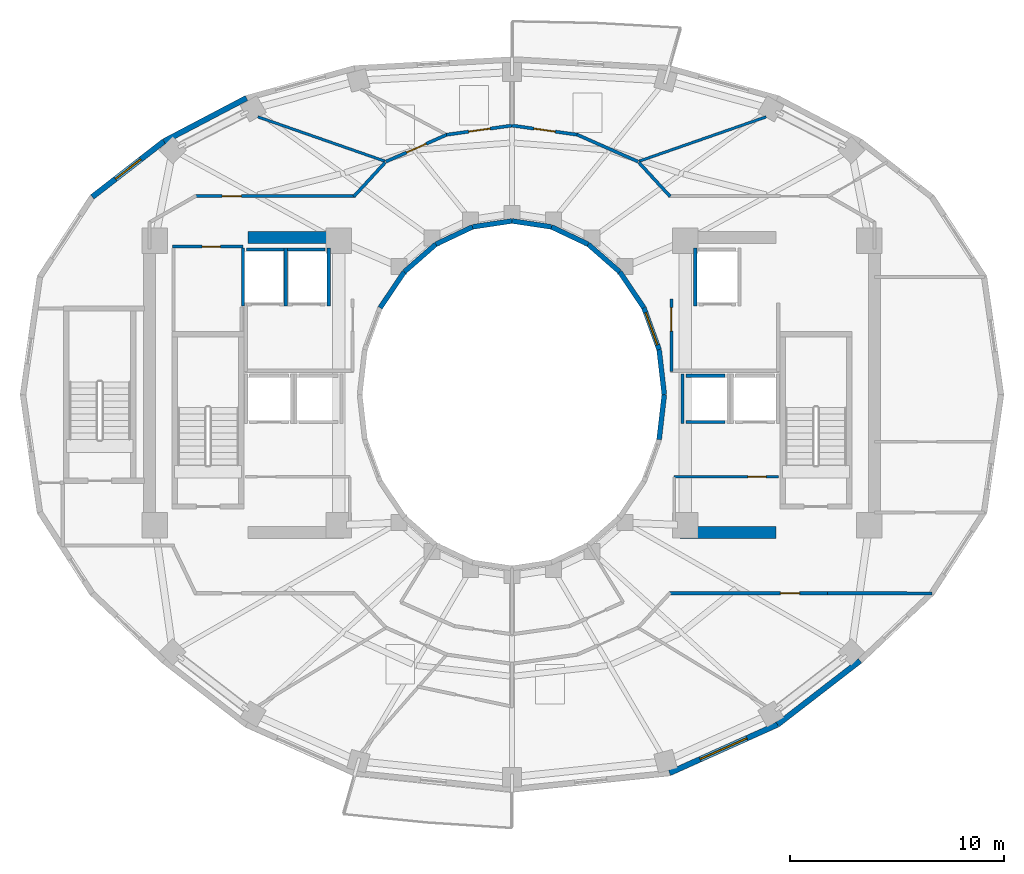
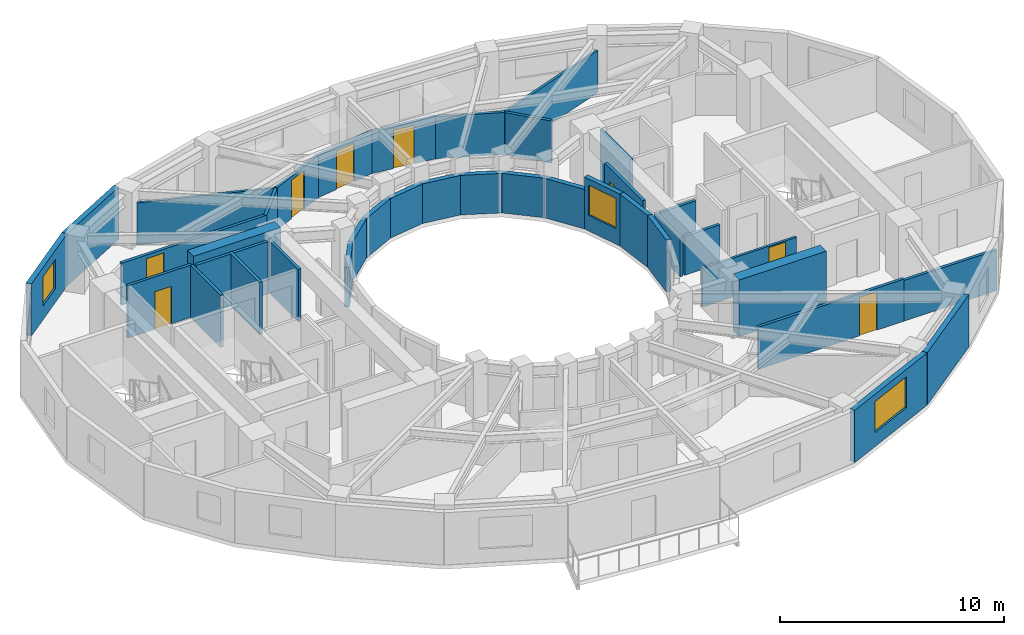
# One storey, part 5 of 9: 40 walls, 8 doors, 3 windows, 11 openings.
"""IFC4 building model written with IfcOpenShell, lengths in metres."""

from ifc_helpers import new_model, si_unit, direction, frame, frame_2d, origin, place, context, subcontext, project, spatial, rectangle, extrude, material, layer, layer_set, type_object, element, fill, save


model = new_model("IFC4")

# Units and contexts
model_context = context("Model", 3, precision=1e-05, world=origin(), true_north=direction((0.0, 1.0)))
body_context = subcontext(model_context, "Body", "Model", "MODEL_VIEW")
ifc_project = project(units=[si_unit("LENGTHUNIT", "METRE"), si_unit("AREAUNIT", "SQUARE_METRE"), si_unit("VOLUMEUNIT", "CUBIC_METRE"), si_unit("PLANEANGLEUNIT", "RADIAN"), si_unit("MASSUNIT", "GRAM", prefix="KILO")], contexts=[model_context])

# Site, building, storey
site_placement = place(None, origin())
site = spatial("IfcSite", under=ifc_project, at=site_placement, CompositionType="ELEMENT")
building_placement = place(site_placement, origin())
building = spatial("IfcBuilding", under=site, at=building_placement, Name="Solvane Sanctuary Tower", CompositionType="ELEMENT")
storey_placement = place(building_placement, frame((0.0, 0.0, 174.60009765625)))
storey = spatial("IfcBuildingStorey", under=building, at=storey_placement, Name="L53", CompositionType="ELEMENT", Elevation=174.60009765625)

# Walls
ifc_material_1 = material(Name="Concrete C50/60", Category="concrete")
ifc_layer_1 = layer(ifc_material_1, 0.550048828125, Name="Concrete C50/60")
ifc_layer_set_1 = layer_set([ifc_layer_1], Name="Concrete C50/60")
wall_type_1 = type_object("IfcWallType", Name="Wall W-CORE-550", PredefinedType="SHEAR", material=ifc_layer_set_1)
for number, where, z_axis, x_axis, name in (
    (1, (19.64990234375, 30.35009765625, 0.0), (0.0, 0.0, 1.0), (1.0, 0.0, 0.0), "L53 Core Shear Wall WC-N"),
    (2, (39.85009765625, 16.550048828125, 0.0), (0.0, 0.0, 1.0), (1.0, 0.0, 0.0), "L53 Core Shear Wall EC-S"),
):
    element("IfcWall", number, at=place(storey_placement, frame(where, z_axis=z_axis, x_axis=x_axis)), inside=storey, type_object=wall_type_1, Name=name, PredefinedType="SHEAR", context=body_context, shape_type="SweptSolid", body=[
        extrude(rectangle(XDim=4.5, YDim=0.550048828125, at=frame_2d((2.25, 0.0))), origin(), (0.0, 0.0, 1.0), 3.099853515625),
    ])

# Wall, opening, door
ifc_material_2 = material(Name="Acoustic Gypsum Partition Board")
ifc_layer_2 = layer(ifc_material_2, 0.14990234375, Name="Acoustic Gypsum Partition Board")
ifc_layer_set_2 = layer_set([ifc_layer_2], Name="Acoustic Gypsum Partition Board")
wall_type_2 = type_object("IfcWallType", Name="Wall W-CORR-150", PredefinedType="PARTITIONING", material=ifc_layer_set_2)
wall_1_placement = place(storey_placement, frame((39.449951171875, 24.080078125, 0.0), z_axis=(0.0, 0.0, 1.0), x_axis=(0.0, 1.0, 0.0)))
wall_1 = element("IfcWall", 3, at=wall_1_placement, inside=storey, type_object=wall_type_2, Name="L53 East Firefighting Lobby West Wall", PredefinedType="PARTITIONING", context=body_context, shape_type="SweptSolid", body=[
    extrude(rectangle(XDim=3.39990234375, YDim=0.14990234375, at=frame_2d((1.699951171875, 0.0))), origin(), (0.0, 0.0, 1.0), 2.85498046875),
])
opening_1_placement = place(wall_1_placement, frame((1.893798828125, 0.0, 0.0)))
opening_1 = element("IfcOpeningElement", 4, at=opening_1_placement, cuts=wall_1, Name="Opening D-L53-07", PredefinedType="OPENING", context=body_context, shape_type="SweptSolid", body=[
    extrude(rectangle(XDim=1.10009765625, YDim=2.10009765625, at=frame_2d((0.550048828125, 1.050048828125))), frame((0.0, 0.0849609375, 0.0), z_axis=(0.0, -1.0, 0.0), x_axis=(1.0, 0.0, 0.0)), (0.0, 0.0, 1.0), 0.169921875),
])
ifc_material_3 = material(Name="Architectural Stainless Steel 316", Category="steel")
door_type_1 = type_object("IfcDoorType", Name="Door D-FFL", OperationType="NOTDEFINED", PredefinedType="DOOR", material=ifc_material_3)
door_1_placement = place(opening_1_placement, origin())
door_1 = element("IfcDoor", 5, at=door_1_placement, inside=storey, type_object=door_type_1, Name="L53 East Firefighting Lobby Fire Door", OperationType="SINGLE_SWING_RIGHT", OverallHeight=2.10009765625, OverallWidth=1.10009765625, PredefinedType="DOOR", context=body_context, shape_type="SweptSolid", body=[
    extrude(rectangle(XDim=1.10009765625, YDim=2.10009765625, at=frame_2d((0.550048828125, 1.050048828125))), frame((0.0, 0.02490234375, 0.0), z_axis=(0.0, -1.0, 0.0), x_axis=(1.0, 0.0, 0.0)), (0.0, 0.0, 1.0), 0.050048828125),
])
fill(opening_1, door_1)

# Walls
for number, where, z_axis, x_axis, name in (
    (6, (37.92822265625, 33.855712890625, 0.0), (0.0, 0.0, 1.0), (0.677579737957, -0.735449317567, 0.0), "L53 NE Corner Throat Wall"),
    (7, (26.07177734375, 33.855712890625, 0.0), (0.0, 0.0, 1.0), (-0.677579737957, -0.735449317567, 0.0), "L53 NW Corner Throat Wall"),
):
    element("IfcWall", number, at=place(storey_placement, frame(where, z_axis=z_axis, x_axis=x_axis)), inside=storey, type_object=wall_type_2, Name=name, PredefinedType="PARTITIONING", context=body_context, shape_type="SweptSolid", body=[
        extrude(rectangle(XDim=2.172607421875, YDim=0.14990234375, at=frame_2d((1.08642578125, 0.0))), origin(), (0.0, 0.0, 1.0), 2.298828125),
    ])

# Wall, opening, door
wall_2_placement = place(storey_placement, frame((17.14990234375, 32.280029296875, 0.0), z_axis=(0.0, 0.0, 1.0), x_axis=(1.0, 0.0, 0.0)))
wall_2 = element("IfcWall", 8, at=wall_2_placement, inside=storey, type_object=wall_type_2, Name="L53 NW Corner Corridor Wall", PredefinedType="PARTITIONING", context=body_context, shape_type="SweptSolid", body=[
    extrude(rectangle(XDim=7.52001953125, YDim=0.14990234375, at=frame_2d((3.760009765625, 0.0))), origin(), (0.0, 0.0, 1.0), 2.298828125),
])
opening_2_placement = place(wall_2_placement, frame((1.300048828125, 0.0, 0.0)))
opening_2 = element("IfcOpeningElement", 9, at=opening_2_placement, cuts=wall_2, Name="Opening D-L53-15", PredefinedType="OPENING", context=body_context, shape_type="SweptSolid", body=[
    extrude(rectangle(XDim=0.89990234375, YDim=2.10009765625, at=frame_2d((0.449951171875, 1.050048828125))), frame((0.0, 0.0849609375, 0.0), z_axis=(0.0, -1.0, 0.0), x_axis=(1.0, 0.0, 0.0)), (0.0, 0.0, 1.0), 0.169921875),
])
ifc_material_4 = material(Name="Engineered Tropical Hardwood", Category="wood")
door_type_2 = type_object("IfcDoorType", Name="Door D-WET-900", OperationType="NOTDEFINED", PredefinedType="DOOR", material=ifc_material_4)
door_2_placement = place(opening_2_placement, origin())
door_2 = element("IfcDoor", 10, at=door_2_placement, inside=storey, type_object=door_type_2, Name="L53 NW Corner Salon Door", OperationType="SINGLE_SWING_RIGHT", OverallHeight=2.10009765625, OverallWidth=0.89990234375, PredefinedType="DOOR", context=body_context, shape_type="SweptSolid", body=[
    extrude(rectangle(XDim=0.89990234375, YDim=2.10009765625, at=frame_2d((0.449951171875, 1.050048828125))), frame((0.0, 0.02490234375, 0.0), z_axis=(0.0, -1.0, 0.0), x_axis=(1.0, 0.0, 0.0)), (0.0, 0.0, 1.0), 0.050048828125),
])
fill(opening_2, door_2)

wall_3_placement = place(storey_placement, frame((39.330078125, 13.719970703125, 0.0), z_axis=(0.0, 0.0, 1.0), x_axis=(1.0, 0.0, 0.0)))
wall_3 = element("IfcWall", 11, at=wall_3_placement, inside=storey, type_object=wall_type_2, Name="L53 SE Corner Corridor Wall", PredefinedType="PARTITIONING", context=body_context, shape_type="SweptSolid", body=[
    extrude(rectangle(XDim=7.52001953125, YDim=0.14990234375, at=frame_2d((3.760009765625, 0.0))), origin(), (0.0, 0.0, 1.0), 2.298828125),
])
opening_3_placement = place(wall_3_placement, frame((5.219970703125, 0.0, 0.0)))
opening_3 = element("IfcOpeningElement", 12, at=opening_3_placement, cuts=wall_3, Name="Opening D-L53-18", PredefinedType="OPENING", context=body_context, shape_type="SweptSolid", body=[
    extrude(rectangle(XDim=0.89990234375, YDim=2.10009765625, at=frame_2d((0.449951171875, 1.050048828125))), frame((0.0, 0.0849609375, 0.0), z_axis=(0.0, -1.0, 0.0), x_axis=(1.0, 0.0, 0.0)), (0.0, 0.0, 1.0), 0.169921875),
])
door_3_placement = place(opening_3_placement, origin())
door_3 = element("IfcDoor", 13, at=door_3_placement, inside=storey, type_object=door_type_2, Name="L53 SE Corner Salon Door", OperationType="SINGLE_SWING_LEFT", OverallHeight=2.10009765625, OverallWidth=0.89990234375, PredefinedType="DOOR", context=body_context, shape_type="SweptSolid", body=[
    extrude(rectangle(XDim=0.89990234375, YDim=2.10009765625, at=frame_2d((0.449951171875, 1.050048828125))), frame((0.0, 0.02490234375, 0.0), z_axis=(0.0, -1.0, 0.0), x_axis=(1.0, 0.0, 0.0)), (0.0, 0.0, 1.0), 0.050048828125),
])
fill(opening_3, door_3)

# Walls
wall_4_placement = place(storey_placement, frame((46.75, 13.72021484375, 0.0), z_axis=(0.0, 0.0, 1.0), x_axis=(0.999997122315, -0.00239903348, 0.0)))
element("IfcWall", 14, at=wall_4_placement, inside=storey, type_object=wall_type_2, Name="L53 SE Corner Wing Wall", PredefinedType="PARTITIONING", context=body_context, shape_type="SweptSolid", body=[
    extrude(rectangle(XDim=4.884765625, YDim=0.14990234375, at=frame_2d((2.4423828125, 0.0))), origin(), (0.0, 0.0, 1.0), 2.219970703125),
])
wall_5_placement = place(storey_placement, frame((37.898193359375, 33.891845703125, 0.0), z_axis=(0.0, 0.0, 1.0), x_axis=(-0.914519212393, 0.40454247016, 0.0)))
element("IfcWall", 15, at=wall_5_placement, inside=storey, type_object=wall_type_2, Name="L53 Unit Corridor Wall N1", PredefinedType="PARTITIONING", context=body_context, shape_type="SweptSolid", body=[
    extrude(rectangle(XDim=3.123779296875, YDim=0.14990234375, at=frame_2d((1.56201171875, 0.0))), origin(), (0.0, 0.0, 1.0), 2.298828125),
])

# Wall, opening, door
wall_6_placement = place(storey_placement, frame((35.057373046875, 35.15087890625, 0.0), z_axis=(0.0, 0.0, 1.0), x_axis=(-0.990254709652, 0.13926812274, 0.0)))
wall_6 = element("IfcWall", 16, at=wall_6_placement, inside=storey, type_object=wall_type_2, Name="L53 Unit Corridor Wall N1", PredefinedType="PARTITIONING", context=body_context, shape_type="SweptSolid", body=[
    extrude(rectangle(XDim=3.095947265625, YDim=0.14990234375, at=frame_2d((1.5478515625, 0.0))), origin(), (0.0, 0.0, 1.0), 2.298828125),
])
opening_4_placement = place(wall_6_placement, frame((1.0478515625, 0.0, 0.0)))
opening_4 = element("IfcOpeningElement", 17, at=opening_4_placement, cuts=wall_6, Name="Opening D-L53-21", PredefinedType="OPENING", context=body_context, shape_type="SweptSolid", body=[
    extrude(rectangle(XDim=1.0, YDim=2.10009765625, at=frame_2d((0.5, 1.050048828125))), frame((0.0, 0.0849609375, 0.0), z_axis=(0.0, -1.0, 0.0), x_axis=(1.0, 0.0, 0.0)), (0.0, 0.0, 1.0), 0.169921875),
])
door_type_3 = type_object("IfcDoorType", Name="Door D-UNIT", OperationType="NOTDEFINED", PredefinedType="DOOR", material=ifc_material_4)
door_4_placement = place(opening_4_placement, origin())
door_4 = element("IfcDoor", 18, at=door_4_placement, inside=storey, type_object=door_type_3, Name="L53 Unit Entrance Door N1", OperationType="SINGLE_SWING_RIGHT", OverallHeight=2.10009765625, OverallWidth=1.0, PredefinedType="DOOR", context=body_context, shape_type="SweptSolid", body=[
    extrude(rectangle(XDim=1.0, YDim=2.10009765625, at=frame_2d((0.5, 1.050048828125))), frame((0.0, 0.02490234375, 0.0), z_axis=(0.0, -1.0, 0.0), x_axis=(1.0, 0.0, 0.0)), (0.0, 0.0, 1.0), 0.050048828125),
])
fill(opening_4, door_4)

wall_7_placement = place(storey_placement, frame((32.00830078125, 35.58203125, 0.0), z_axis=(0.0, 0.0, 1.0), x_axis=(-0.990254709652, -0.13926812274, 0.0)))
wall_7 = element("IfcWall", 19, at=wall_7_placement, inside=storey, type_object=wall_type_2, Name="L53 Unit Corridor Wall N2", PredefinedType="PARTITIONING", context=body_context, shape_type="SweptSolid", body=[
    extrude(rectangle(XDim=3.095947265625, YDim=0.14990234375, at=frame_2d((1.5478515625, 0.0))), origin(), (0.0, 0.0, 1.0), 2.298828125),
])
opening_5_placement = place(wall_7_placement, frame((1.0478515625, 0.0, 0.0)))
opening_5 = element("IfcOpeningElement", 20, at=opening_5_placement, cuts=wall_7, Name="Opening D-L53-22", PredefinedType="OPENING", context=body_context, shape_type="SweptSolid", body=[
    extrude(rectangle(XDim=1.0, YDim=2.10009765625, at=frame_2d((0.5, 1.050048828125))), frame((0.0, 0.0849609375, 0.0), z_axis=(0.0, -1.0, 0.0), x_axis=(1.0, 0.0, 0.0)), (0.0, 0.0, 1.0), 0.169921875),
])
door_5_placement = place(opening_5_placement, origin())
door_5 = element("IfcDoor", 21, at=door_5_placement, inside=storey, type_object=door_type_3, Name="L53 Unit Entrance Door N2", OperationType="SINGLE_SWING_LEFT", OverallHeight=2.10009765625, OverallWidth=1.0, PredefinedType="DOOR", context=body_context, shape_type="SweptSolid", body=[
    extrude(rectangle(XDim=1.0, YDim=2.10009765625, at=frame_2d((0.5, 1.050048828125))), frame((0.0, 0.02490234375, 0.0), z_axis=(0.0, -1.0, 0.0), x_axis=(1.0, 0.0, 0.0)), (0.0, 0.0, 1.0), 0.050048828125),
])
fill(opening_5, door_5)

wall_8_placement = place(storey_placement, frame((28.95849609375, 35.155517578125, 0.0), z_axis=(0.0, 0.0, 1.0), x_axis=(-0.914519212393, -0.40454247016, 0.0)))
wall_8 = element("IfcWall", 22, at=wall_8_placement, inside=storey, type_object=wall_type_2, Name="L53 Unit Corridor Wall N3", PredefinedType="PARTITIONING", context=body_context, shape_type="SweptSolid", body=[
    extrude(rectangle(XDim=3.123779296875, YDim=0.14990234375, at=frame_2d((1.56201171875, 0.0))), origin(), (0.0, 0.0, 1.0), 2.298828125),
])
opening_6_placement = place(wall_8_placement, frame((1.061767578125, 0.0, 0.0)))
opening_6 = element("IfcOpeningElement", 23, at=opening_6_placement, cuts=wall_8, Name="Opening D-L53-23", PredefinedType="OPENING", context=body_context, shape_type="SweptSolid", body=[
    extrude(rectangle(XDim=1.0, YDim=2.10009765625, at=frame_2d((0.5, 1.050048828125))), frame((0.0, 0.0849609375, 0.0), z_axis=(0.0, -1.0, 0.0), x_axis=(1.0, 0.0, 0.0)), (0.0, 0.0, 1.0), 0.169921875),
])
door_6_placement = place(opening_6_placement, origin())
door_6 = element("IfcDoor", 24, at=door_6_placement, inside=storey, type_object=door_type_3, Name="L53 Unit Entrance Door N3", OperationType="SINGLE_SWING_RIGHT", OverallHeight=2.10009765625, OverallWidth=1.0, PredefinedType="DOOR", context=body_context, shape_type="SweptSolid", body=[
    extrude(rectangle(XDim=1.0, YDim=2.10009765625, at=frame_2d((0.5, 1.050048828125))), frame((0.0, 0.02490234375, 0.0), z_axis=(0.0, -1.0, 0.0), x_axis=(1.0, 0.0, 0.0)), (0.0, 0.0, 1.0), 0.050048828125),
])
fill(opening_6, door_6)

# Wall
ifc_material_5 = material(Name="Precast concrete C40/50", Category="concrete")
ifc_layer_3 = layer(ifc_material_5, 0.260009765625, Name="Precast concrete C40/50")
ifc_layer_set_3 = layer_set([ifc_layer_3], Name="Precast concrete C40/50")
wall_type_3 = type_object("IfcWallType", Name="Wall W-EXT-250", PredefinedType="STANDARD", material=ifc_layer_set_3)
wall_9_placement = place(storey_placement, frame((19.5869140625, 36.86328125, 0.0), z_axis=(0.0, 0.0, 1.0), x_axis=(-0.885660265226, -0.464333818065, 0.0)))
element("IfcWall", 25, at=wall_9_placement, inside=storey, type_object=wall_type_3, Name="L53 Ceramic-Printed Facade Wall 08", PredefinedType="STANDARD", context=body_context, shape_type="SweptSolid", body=[
    extrude(rectangle(XDim=4.35400390625, YDim=0.260009765625, at=frame_2d((2.177001953125, 0.0))), origin(), (0.0, 0.0, 1.0), 2.849853515625),
])

# Wall, opening, window
wall_10_placement = place(storey_placement, frame((15.730712890625, 34.841552734375, 0.0), z_axis=(0.0, 0.0, 1.0), x_axis=(-0.790185650662, -0.612867552973, 0.0)))
wall_10 = element("IfcWall", 26, at=wall_10_placement, inside=storey, type_object=wall_type_3, Name="L53 Ceramic-Printed Facade Wall 09", PredefinedType="STANDARD", context=body_context, shape_type="SweptSolid", body=[
    extrude(rectangle(XDim=4.2392578125, YDim=0.260009765625, at=frame_2d((2.11962890625, 0.0))), origin(), (0.0, 0.0, 1.0), 2.849853515625),
])
opening_7_placement = place(wall_10_placement, frame((1.36962890625, 0.0, 0.75)))
opening_7 = element("IfcOpeningElement", 27, at=opening_7_placement, cuts=wall_10, Name="Opening WN-OPER-1500", PredefinedType="OPENING", context=body_context, shape_type="SweptSolid", body=[
    extrude(rectangle(XDim=1.5, YDim=1.60009765625, at=frame_2d((0.75, 0.800048828125))), frame((0.0, 0.139892578125, 0.0), z_axis=(0.0, -1.0, 0.0), x_axis=(1.0, 0.0, 0.0)), (0.0, 0.0, 1.0), 0.280029296875),
])
ifc_material_6 = material(Name="Dark Ceramic-Fritted Low-E Glass", Category="glass")
window_type_1 = type_object("IfcWindowType", Name="Window WN-OPER-1500", PartitioningType="SINGLE_PANEL", PredefinedType="WINDOW", material=ifc_material_6)
window_1_placement = place(opening_7_placement, origin())
window_1 = element("IfcWindow", 28, at=window_1_placement, inside=storey, type_object=window_type_1, Name="L53 Operable Facade Window 09", OverallHeight=1.60009765625, OverallWidth=1.5, PartitioningType="SINGLE_PANEL", PredefinedType="WINDOW", context=body_context, shape_type="SweptSolid", body=[
    extrude(rectangle(XDim=1.5, YDim=1.60009765625, at=frame_2d((0.75, 0.800048828125))), frame((0.0, 0.030029296875, 0.0), z_axis=(0.0, -1.0, 0.0), x_axis=(1.0, 0.0, 0.0)), (0.0, 0.0, 1.0), 0.06005859375),
])
fill(opening_7, window_1)

wall_11_placement = place(storey_placement, frame((39.365234375, 5.3154296875, 0.0), z_axis=(0.0, 0.0, 1.0), x_axis=(0.912353637112, 0.409403029847, 0.0)))
wall_11 = element("IfcWall", 29, at=wall_11_placement, inside=storey, type_object=wall_type_3, Name="L53 Ceramic-Printed Facade Wall 19", PredefinedType="STANDARD", context=body_context, shape_type="SweptSolid", body=[
    extrude(rectangle(XDim=5.53271484375, YDim=0.260009765625, at=frame_2d((2.766357421875, 0.0))), origin(), (0.0, 0.0, 1.0), 2.849853515625),
])
opening_8_placement = place(wall_11_placement, frame((1.56640625, 0.0, 0.75)))
opening_8 = element("IfcOpeningElement", 30, at=opening_8_placement, cuts=wall_11, Name="Opening WN-RIB-2400", PredefinedType="OPENING", context=body_context, shape_type="SweptSolid", body=[
    extrude(rectangle(XDim=2.39990234375, YDim=1.699951171875, at=frame_2d((1.199951171875, 0.85009765625))), frame((0.0, 0.139892578125, 0.0), z_axis=(0.0, -1.0, 0.0), x_axis=(1.0, 0.0, 0.0)), (0.0, 0.0, 1.0), 0.280029296875),
])
window_type_2 = type_object("IfcWindowType", Name="Window WN-RIB-2400", PartitioningType="SINGLE_PANEL", PredefinedType="WINDOW", material=ifc_material_6)
window_2_placement = place(opening_8_placement, origin())
window_2 = element("IfcWindow", 31, at=window_2_placement, inside=storey, type_object=window_type_2, Name="L53 Operable Facade Window 19", OverallHeight=1.699951171875, OverallWidth=2.39990234375, PartitioningType="SINGLE_PANEL", PredefinedType="WINDOW", context=body_context, shape_type="SweptSolid", body=[
    extrude(rectangle(XDim=2.39990234375, YDim=1.699951171875, at=frame_2d((1.199951171875, 0.85009765625))), frame((0.0, 0.030029296875, 0.0), z_axis=(0.0, -1.0, 0.0), x_axis=(1.0, 0.0, 0.0)), (0.0, 0.0, 1.0), 0.06005859375),
])
fill(opening_8, window_2)

# Walls
wall_12_placement = place(storey_placement, frame((44.4130859375, 7.58056640625, 0.0), z_axis=(0.0, 0.0, 1.0), x_axis=(0.791460185804, 0.611220724687, 0.0)))
element("IfcWall", 32, at=wall_12_placement, inside=storey, type_object=wall_type_3, Name="L53 Ceramic-Printed Facade Wall 20", PredefinedType="STANDARD", context=body_context, shape_type="SweptSolid", body=[
    extrude(rectangle(XDim=4.872314453125, YDim=0.260009765625, at=frame_2d((2.43603515625, 0.0))), origin(), (0.0, 0.0, 1.0), 2.849853515625),
])
ifc_layer_4 = layer(ifc_material_5, 0.22998046875, Name="Precast concrete C40/50")
ifc_layer_set_4 = layer_set([ifc_layer_4], Name="Precast concrete C40/50")
wall_type_4 = type_object("IfcWallType", Name="Wall W-EXT-SP220", PredefinedType="STANDARD", material=ifc_layer_set_4)
wall_13_placement = place(storey_placement, frame((39.1201171875, 23.0, 0.0), z_axis=(0.0, 0.0, 1.0), x_axis=(-0.114711713601, 0.993398823617, 0.0)))
element("IfcWall", 33, at=wall_13_placement, inside=storey, type_object=wall_type_4, Name="L53 Central Light-Well Wall 00", PredefinedType="STANDARD", context=body_context, shape_type="SweptSolid", body=[
    extrude(rectangle(XDim=2.115478515625, YDim=0.22998046875, at=frame_2d((1.0576171875, 0.0))), origin(), (0.0, 0.0, 1.0), 2.83984375),
])

# Wall, opening, window
wall_14_placement = place(storey_placement, frame((38.87744140625, 25.1015625, 0.0), z_axis=(0.0, 0.0, 1.0), x_axis=(-0.341423187295, 0.93990968033, 0.0)))
wall_14 = element("IfcWall", 34, at=wall_14_placement, inside=storey, type_object=wall_type_4, Name="L53 Central Light-Well Wall 01", PredefinedType="STANDARD", context=body_context, shape_type="SweptSolid", body=[
    extrude(rectangle(XDim=2.083740234375, YDim=0.22998046875, at=frame_2d((1.0419921875, 0.0))), origin(), (0.0, 0.0, 1.0), 2.83984375),
])
opening_9_placement = place(wall_14_placement, frame((0.24169921875, 0.0, 0.85009765625)))
opening_9 = element("IfcOpeningElement", 35, at=opening_9_placement, cuts=wall_14, Name="Opening WN-WELL-1600", PredefinedType="OPENING", context=body_context, shape_type="SweptSolid", body=[
    extrude(rectangle(XDim=1.60009765625, YDim=1.64990234375, at=frame_2d((0.800048828125, 0.824951171875))), frame((0.0, 0.125, 0.0), z_axis=(0.0, -1.0, 0.0), x_axis=(1.0, 0.0, 0.0)), (0.0, 0.0, 1.0), 0.25),
])
ifc_material_7 = material(Name="Clear Laminated Light-Well Glass", Category="glass")
window_type_3 = type_object("IfcWindowType", Name="Window WN-WELL-1600", PartitioningType="SINGLE_PANEL", PredefinedType="WINDOW", material=ifc_material_7)
window_3_placement = place(opening_9_placement, origin())
window_3 = element("IfcWindow", 36, at=window_3_placement, inside=storey, type_object=window_type_3, Name="L53 Light-Well Daylight Window 01", OverallHeight=1.64990234375, OverallWidth=1.60009765625, PartitioningType="SINGLE_PANEL", PredefinedType="WINDOW", context=body_context, shape_type="SweptSolid", body=[
    extrude(rectangle(XDim=1.60009765625, YDim=1.64990234375, at=frame_2d((0.800048828125, 0.824951171875))), frame((0.0, 0.030029296875, 0.0), z_axis=(0.0, -1.0, 0.0), x_axis=(1.0, 0.0, 0.0)), (0.0, 0.0, 1.0), 0.06005859375),
])
fill(opening_9, window_3)

# Walls
wall_15_placement = place(storey_placement, frame((38.166015625, 27.06005859375, 0.0), z_axis=(0.0, 0.0, 1.0), x_axis=(-0.558197800898, 0.829707909492, 0.0)))
element("IfcWall", 37, at=wall_15_placement, inside=storey, type_object=wall_type_4, Name="L53 Central Light-Well Wall 02", PredefinedType="STANDARD", context=body_context, shape_type="SweptSolid", body=[
    extrude(rectangle(XDim=2.02685546875, YDim=0.22998046875, at=frame_2d((1.013427734375, 0.0))), origin(), (0.0, 0.0, 1.0), 2.159912109375),
])
wall_16_placement = place(storey_placement, frame((37.03466796875, 28.74169921875, 0.0), z_axis=(0.0, 0.0, 1.0), x_axis=(-0.752576694707, 0.658504607869, 0.0)))
element("IfcWall", 38, at=wall_16_placement, inside=storey, type_object=wall_type_4, Name="L53 Central Light-Well Wall 03", PredefinedType="STANDARD", context=body_context, shape_type="SweptSolid", body=[
    extrude(rectangle(XDim=1.95947265625, YDim=0.22998046875, at=frame_2d((0.979736328125, 0.0))), origin(), (0.0, 0.0, 1.0), 2.159912109375),
])
wall_17_placement = place(storey_placement, frame((35.56005859375, 30.031982421875, 0.0), z_axis=(0.0, 0.0, 1.0), x_axis=(-0.904179699603, 0.427152280606, 0.0)))
element("IfcWall", 39, at=wall_17_placement, inside=storey, type_object=wall_type_4, Name="L53 Central Light-Well Wall 04", PredefinedType="STANDARD", context=body_context, shape_type="SweptSolid", body=[
    extrude(rectangle(XDim=1.899169921875, YDim=0.22998046875, at=frame_2d((0.94970703125, 0.0))), origin(), (0.0, 0.0, 1.0), 2.159912109375),
])
for number, where, z_axis, x_axis, name in (
    (40, (33.8427734375, 30.84326171875, 0.0), (0.0, 0.0, 1.0), (-0.988901730308, 0.148571086668, 0.0), "L53 Central Light-Well Wall 05"),
    (41, (32.0, 31.1201171875, 0.0), (0.0, 0.0, 1.0), (-0.988901730308, -0.148571086668, 0.0), "L53 Central Light-Well Wall 06"),
):
    element("IfcWall", number, at=place(storey_placement, frame(where, z_axis=z_axis, x_axis=x_axis)), inside=storey, type_object=wall_type_4, Name=name, PredefinedType="STANDARD", context=body_context, shape_type="SweptSolid", body=[
        extrude(rectangle(XDim=1.863525390625, YDim=0.22998046875, at=frame_2d((0.931640625, 0.0))), origin(), (0.0, 0.0, 1.0), 2.159912109375),
    ])
wall_18_placement = place(storey_placement, frame((30.1572265625, 30.84326171875, 0.0), z_axis=(0.0, 0.0, 1.0), x_axis=(-0.904179699603, -0.427152280606, 0.0)))
element("IfcWall", 42, at=wall_18_placement, inside=storey, type_object=wall_type_4, Name="L53 Central Light-Well Wall 07", PredefinedType="STANDARD", context=body_context, shape_type="SweptSolid", body=[
    extrude(rectangle(XDim=1.899169921875, YDim=0.22998046875, at=frame_2d((0.94970703125, 0.0))), origin(), (0.0, 0.0, 1.0), 2.159912109375),
])
wall_19_placement = place(storey_placement, frame((28.43994140625, 30.031982421875, 0.0), z_axis=(0.0, 0.0, 1.0), x_axis=(-0.752576694707, -0.658504607869, 0.0)))
element("IfcWall", 43, at=wall_19_placement, inside=storey, type_object=wall_type_4, Name="L53 Central Light-Well Wall 08", PredefinedType="STANDARD", context=body_context, shape_type="SweptSolid", body=[
    extrude(rectangle(XDim=1.95947265625, YDim=0.22998046875, at=frame_2d((0.979736328125, 0.0))), origin(), (0.0, 0.0, 1.0), 2.159912109375),
])
wall_20_placement = place(storey_placement, frame((26.96533203125, 28.74169921875, 0.0), z_axis=(0.0, 0.0, 1.0), x_axis=(-0.558197800898, -0.829707909492, 0.0)))
element("IfcWall", 44, at=wall_20_placement, inside=storey, type_object=wall_type_4, Name="L53 Central Light-Well Wall 09", PredefinedType="STANDARD", context=body_context, shape_type="SweptSolid", body=[
    extrude(rectangle(XDim=2.02685546875, YDim=0.22998046875, at=frame_2d((1.013427734375, 0.0))), origin(), (0.0, 0.0, 1.0), 2.159912109375),
])
wall_21_placement = place(storey_placement, frame((38.87744140625, 20.8984375, 0.0), z_axis=(0.0, 0.0, 1.0), x_axis=(0.114711713601, 0.993398823617, 0.0)))
element("IfcWall", 45, at=wall_21_placement, inside=storey, type_object=wall_type_4, Name="L53 Central Light-Well Wall 23", PredefinedType="STANDARD", context=body_context, shape_type="SweptSolid", body=[
    extrude(rectangle(XDim=2.115478515625, YDim=0.22998046875, at=frame_2d((1.0576171875, 0.0))), origin(), (0.0, 0.0, 1.0), 2.83984375),
])

# Wall, opening, door
ifc_layer_5 = layer(ifc_material_2, 0.125, Name="Acoustic Gypsum Partition Board")
ifc_layer_set_5 = layer_set([ifc_layer_5], Name="Acoustic Gypsum Partition Board")
wall_type_5 = type_object("IfcWallType", Name="Wall W-PART-125", PredefinedType="PARTITIONING", material=ifc_layer_set_5)
wall_22_placement = place(storey_placement, frame((39.580078125, 19.159912109375, 0.0), z_axis=(0.0, 0.0, 1.0), x_axis=(1.0, 0.0, 0.0)))
wall_22 = element("IfcWall", 46, at=wall_22_placement, inside=storey, type_object=wall_type_5, Name="L53 Reclaimed Room Partition PLE", PredefinedType="PARTITIONING", context=body_context, shape_type="SweptSolid", body=[
    extrude(rectangle(XDim=4.869873046875, YDim=0.125, at=frame_2d((2.43505859375, 0.0))), origin(), (0.0, 0.0, 1.0), 2.119873046875),
])
opening_10_placement = place(wall_22_placement, frame((3.449951171875, 0.0, 0.0)))
opening_10 = element("IfcOpeningElement", 47, at=opening_10_placement, cuts=wall_22, Name="Opening D-L53-09", PredefinedType="OPENING", context=body_context, shape_type="SweptSolid", body=[
    extrude(rectangle(XDim=0.85009765625, YDim=2.050048828125, at=frame_2d((0.425048828125, 1.02490234375))), frame((0.0, 0.072509765625, 0.0), z_axis=(0.0, -1.0, 0.0), x_axis=(1.0, 0.0, 0.0)), (0.0, 0.0, 1.0), 0.14501953125),
])
door_type_4 = type_object("IfcDoorType", Name="Door D-RISER", OperationType="NOTDEFINED", PredefinedType="DOOR", material=ifc_material_3)
door_7_placement = place(opening_10_placement, origin())
door_7 = element("IfcDoor", 48, at=door_7_placement, inside=storey, type_object=door_type_4, Name="L53 Reclaimed Room Door PLE-1", OperationType="SINGLE_SWING_RIGHT", OverallHeight=2.050048828125, OverallWidth=0.85009765625, PredefinedType="DOOR", context=body_context, shape_type="SweptSolid", body=[
    extrude(rectangle(XDim=0.85009765625, YDim=2.050048828125, at=frame_2d((0.425048828125, 1.02490234375))), frame((0.0, 0.02490234375, 0.0), z_axis=(0.0, -1.0, 0.0), x_axis=(1.0, 0.0, 0.0)), (0.0, 0.0, 1.0), 0.050048828125),
])
fill(opening_10, door_7)

# Walls
for number, where, z_axis, x_axis, name in (
    (49, (37.94287109375, 33.914306640625, 0.0), (0.0, 0.0, 1.0), (0.944182779284, 0.329422038278, 0.0), "L53 Radial Compartment Wall 060"),
    (50, (26.05712890625, 33.914306640625, 0.0), (0.0, 0.0, 1.0), (-0.944182779284, 0.329422038278, 0.0), "L53 Radial Compartment Wall 120"),
):
    element("IfcWall", number, at=place(storey_placement, frame(where, z_axis=z_axis, x_axis=x_axis)), inside=storey, type_object=wall_type_5, Name=name, PredefinedType="PARTITIONING", context=body_context, shape_type="SweptSolid", body=[
        extrude(rectangle(XDim=6.291259765625, YDim=0.125, at=frame_2d((3.1455078125, 0.0))), origin(), (0.0, 0.0, 1.0), 2.298828125),
    ])
ifc_layer_6 = layer(ifc_material_1, 0.14990234375, Name="Concrete C50/60")
ifc_layer_set_6 = layer_set([ifc_layer_6], Name="Concrete C50/60")
wall_type_6 = type_object("IfcWallType", Name="Wall W-SHAFT-150", PredefinedType="SOLIDWALL", material=ifc_layer_set_6)
for number, where, z_axis, x_axis, name in (
    (51, (40.139892578125, 21.719970703125, 0.0), (0.0, 0.0, 1.0), (1.0, 0.0, 0.0), "L53 PH-2 Lift Shaft Wall F"),
    (52, (40.139892578125, 23.8798828125, 0.0), (0.0, 0.0, 1.0), (1.0, 0.0, 0.0), "L53 PH-2 Lift Shaft Wall B"),
):
    element("IfcWall", number, at=place(storey_placement, frame(where, z_axis=z_axis, x_axis=x_axis)), inside=storey, type_object=wall_type_6, Name=name, PredefinedType="SOLIDWALL", context=body_context, shape_type="SweptSolid", body=[
        extrude(rectangle(XDim=1.820068359375, YDim=0.14990234375, at=frame_2d((0.91015625, 0.0))), origin(), (0.0, 0.0, 1.0), 2.119873046875),
    ])
wall_23_placement = place(storey_placement, frame((39.969970703125, 21.639892578125, 0.0), z_axis=(0.0, 0.0, 1.0), x_axis=(0.0, 1.0, 0.0)))
element("IfcWall", 53, at=wall_23_placement, inside=storey, type_object=wall_type_6, Name="L53 PH-2 Lift Shaft Wall S1", PredefinedType="SOLIDWALL", context=body_context, shape_type="SweptSolid", body=[
    extrude(rectangle(XDim=2.320068359375, YDim=0.14990234375, at=frame_2d((1.16015625, 0.0))), origin(), (0.0, 0.0, 1.0), 2.119873046875),
])
wall_24_placement = place(storey_placement, frame((19.590087890625, 29.780029296875, 0.0), z_axis=(0.0, 0.0, 1.0), x_axis=(1.0, 0.0, 0.0)))
element("IfcWall", 54, at=wall_24_placement, inside=storey, type_object=wall_type_6, Name="L53 FFL-1 Lift Shaft Wall B", PredefinedType="SOLIDWALL", context=body_context, shape_type="SweptSolid", body=[
    extrude(rectangle(XDim=1.760009765625, YDim=0.14990234375, at=frame_2d((0.8798828125, 0.0))), origin(), (0.0, 0.0, 1.0), 2.85498046875),
])
for number, where, z_axis, x_axis, name in (
    (55, (19.419921875, 27.139892578125, 0.0), (0.0, 0.0, 1.0), (0.0, 1.0, 0.0), "L53 FFL-1 Lift Shaft Wall S1"),
    (56, (21.425048828125, 27.139892578125, 0.0), (0.0, 0.0, 1.0), (0.0, 1.0, 0.0), "L53 FFL-1 Lift Shaft Wall S2"),
):
    element("IfcWall", number, at=place(storey_placement, frame(where, z_axis=z_axis, x_axis=x_axis)), inside=storey, type_object=wall_type_6, Name=name, PredefinedType="SOLIDWALL", context=body_context, shape_type="SweptSolid", body=[
        extrude(rectangle(XDim=2.72021484375, YDim=0.14990234375, at=frame_2d((1.360107421875, 0.0))), origin(), (0.0, 0.0, 1.0), 2.85498046875),
    ])
wall_25_placement = place(storey_placement, frame((21.5, 29.780029296875, 0.0), z_axis=(0.0, 0.0, 1.0), x_axis=(1.0, 0.0, 0.0)))
element("IfcWall", 57, at=wall_25_placement, inside=storey, type_object=wall_type_6, Name="L53 SVL-1 Lift Shaft Wall B", PredefinedType="SOLIDWALL", context=body_context, shape_type="SweptSolid", body=[
    extrude(rectangle(XDim=1.760009765625, YDim=0.14990234375, at=frame_2d((0.8798828125, 0.0))), origin(), (0.0, 0.0, 1.0), 2.85498046875),
])
for number, where, z_axis, x_axis, name in (
    (58, (23.429931640625, 27.139892578125, 0.0), (0.0, 0.0, 1.0), (0.0, 1.0, 0.0), "L53 SVL-1 Lift Shaft Wall S2"),
    (59, (40.570068359375, 27.139892578125, 0.0), (0.0, 0.0, 1.0), (0.0, 1.0, 0.0), "L53 FFL-2 Lift Shaft Wall S1"),
):
    element("IfcWall", number, at=place(storey_placement, frame(where, z_axis=z_axis, x_axis=x_axis)), inside=storey, type_object=wall_type_6, Name=name, PredefinedType="SOLIDWALL", context=body_context, shape_type="SweptSolid", body=[
        extrude(rectangle(XDim=2.72021484375, YDim=0.14990234375, at=frame_2d((1.360107421875, 0.0))), origin(), (0.0, 0.0, 1.0), 2.85498046875),
    ])

# Wall, opening, door
ifc_layer_7 = layer(ifc_material_2, 0.139892578125, Name="Acoustic Gypsum Partition Board")
ifc_layer_set_7 = layer_set([ifc_layer_7], Name="Acoustic Gypsum Partition Board")
wall_type_7 = type_object("IfcWallType", Name="Wall W-WET-140", PredefinedType="PLUMBINGWALL", material=ifc_layer_set_7)
wall_26_placement = place(storey_placement, frame((16.1201171875, 29.919921875, 0.0), z_axis=(0.0, 0.0, 1.0), x_axis=(1.0, 0.0, 0.0)))
wall_26 = element("IfcWall", 60, at=wall_26_placement, inside=storey, type_object=wall_type_7, Name="L53 Core Service Front Wall KW0", PredefinedType="PLUMBINGWALL", context=body_context, shape_type="SweptSolid", body=[
    extrude(rectangle(XDim=3.2998046875, YDim=0.139892578125, at=frame_2d((1.64990234375, 0.0))), origin(), (0.0, 0.0, 1.0), 2.85498046875),
])
opening_11_placement = place(wall_26_placement, frame((1.3994140625, 0.0, 0.0)))
opening_11 = element("IfcOpeningElement", 61, at=opening_11_placement, cuts=wall_26, Name="Opening D-L53-10", PredefinedType="OPENING", context=body_context, shape_type="SweptSolid", body=[
    extrude(rectangle(XDim=0.85009765625, YDim=2.050048828125, at=frame_2d((0.425048828125, 1.02490234375))), frame((0.0, 0.079833984375, 0.0), z_axis=(0.0, -1.0, 0.0), x_axis=(1.0, 0.0, 0.0)), (0.0, 0.0, 1.0), 0.159912109375),
])
door_8_placement = place(opening_11_placement, origin())
door_8 = element("IfcDoor", 62, at=door_8_placement, inside=storey, type_object=door_type_4, Name="L53 Core Service Room Door KW0-1", OperationType="SINGLE_SWING_LEFT", OverallHeight=2.050048828125, OverallWidth=0.85009765625, PredefinedType="DOOR", context=body_context, shape_type="SweptSolid", body=[
    extrude(rectangle(XDim=0.85009765625, YDim=2.050048828125, at=frame_2d((0.425048828125, 1.02490234375))), frame((0.0, 0.02490234375, 0.0), z_axis=(0.0, -1.0, 0.0), x_axis=(1.0, 0.0, 0.0)), (0.0, 0.0, 1.0), 0.050048828125),
])
fill(opening_11, door_8)

save(model, "model.ifc")
